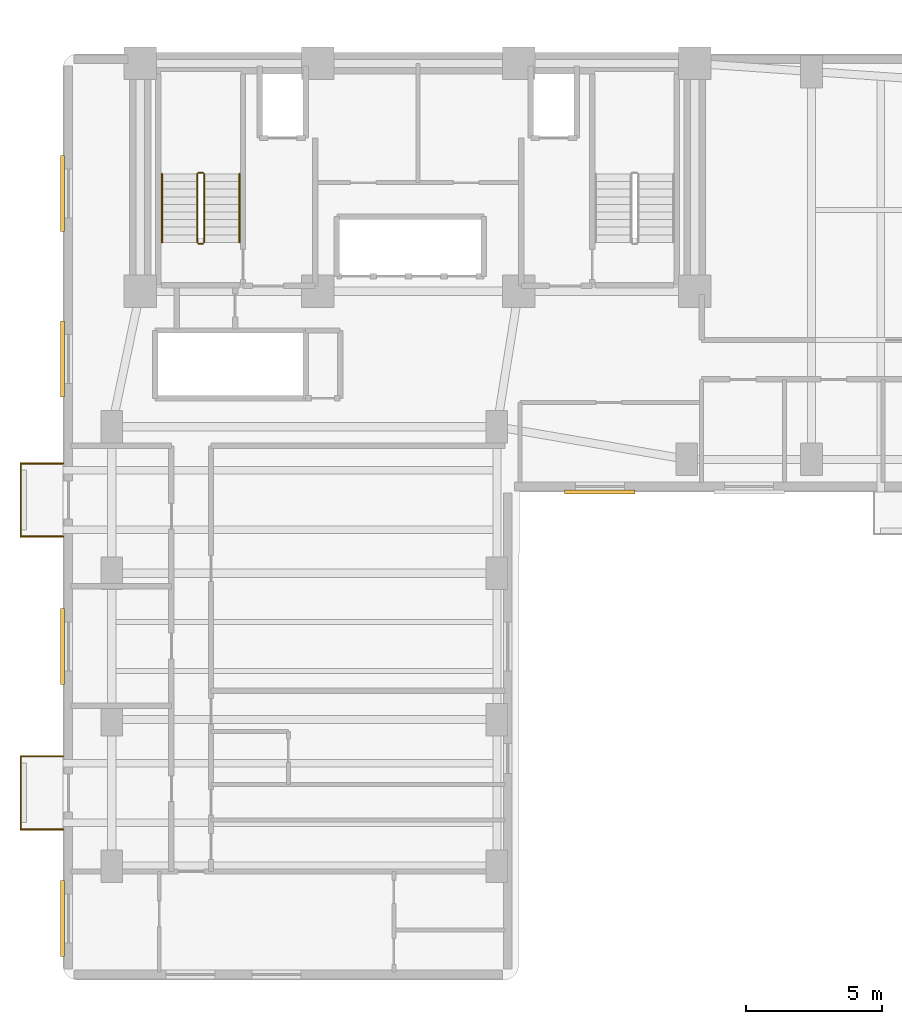
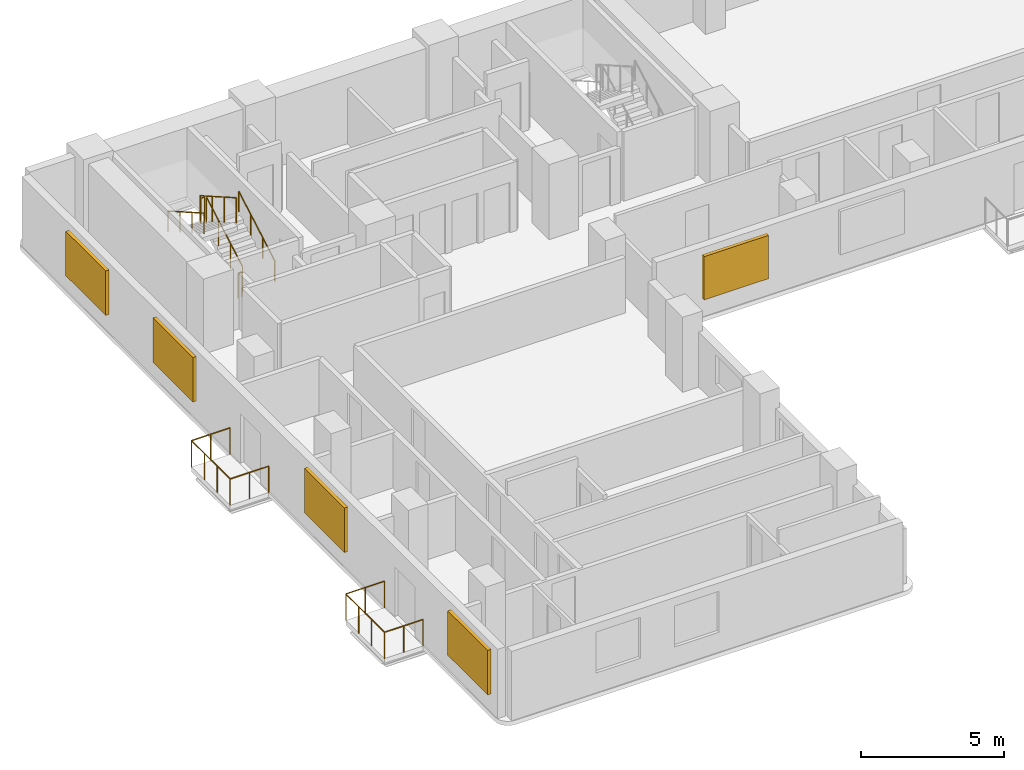
# One storey, part 9 of 11: 12 railings, 5 shading devices.
"""IFC4 building model written with IfcOpenShell, lengths in metres."""

from ifc_helpers import new_model, si_unit, direction, frame, origin, origin_2d, place, context, subcontext, project, spatial, rectangle, circle, extrude, material, layer, layer_set, type_object, element, save


model = new_model("IFC4")

# Units and contexts
model_context = context("Model", 3, precision=1e-05, world=origin(), true_north=direction((0.0, 1.0)))
body_context = subcontext(model_context, "Body", "Model", "MODEL_VIEW")
ifc_project = project(units=[si_unit("LENGTHUNIT", "METRE"), si_unit("AREAUNIT", "SQUARE_METRE"), si_unit("VOLUMEUNIT", "CUBIC_METRE"), si_unit("PLANEANGLEUNIT", "RADIAN"), si_unit("MASSUNIT", "GRAM", prefix="KILO")], contexts=[model_context])

# Site, building, storey
site_placement = place(None, origin())
site = spatial("IfcSite", under=ifc_project, at=site_placement, CompositionType="ELEMENT")
building_placement = place(site_placement, origin())
building = spatial("IfcBuilding", under=site, at=building_placement, Name="Kuzgunbayir Cultural Tower", CompositionType="ELEMENT")
storey_placement = place(building_placement, frame((0.0, 0.0, 99.39990234375)))
storey = spatial("IfcBuildingStorey", under=building, at=storey_placement, Name="L28", CompositionType="ELEMENT", Elevation=99.39990234375)

# Railings
ifc_material_1 = material(Name="Laminated Glass and Stainless Steel", Category="steel")
ifc_layer_1 = layer(ifc_material_1, 0.080078125)
ifc_layer_set_1 = layer_set([ifc_layer_1], Name="Laminated Glass and Stainless Steel")
railing_type_1 = type_object("IfcRailingType", Name="RLG-BAL-115", PredefinedType="BALUSTRADE", material=ifc_layer_set_1)
railing_1_placement = place(storey_placement, frame((3.60009765625, 13.949951171875, 0.0)))
element("IfcRailing", 1, at=railing_1_placement, inside=storey, type_object=railing_type_1, Name="L28 Balcony Guard BAL-L28-WA1 Segment 1", PredefinedType="BALUSTRADE", context=body_context, shape_type="SweptSolid", body=[
    extrude(circle(Radius=0.02392578125, at=origin_2d()), frame((0.0, 0.0, 1.1259765625), z_axis=(-1.0, 0.0, 0.0), x_axis=(0.0, -1.0, 0.0)), (0.0, 0.0, 1.0), 1.56005859375),
    extrude(circle(Radius=0.02099609375, at=origin_2d()), origin(), (0.0, 0.0, 1.0), 1.101806640625),
    extrude(circle(Radius=0.02099609375, at=origin_2d()), frame((-0.780029296875, 0.0, 0.0)), (0.0, 0.0, 1.0), 1.101806640625),
    extrude(circle(Radius=0.02099609375, at=origin_2d()), frame((-1.56005859375, 0.0, 0.0)), (0.0, 0.0, 1.0), 1.101806640625),
])
railing_2_placement = place(storey_placement, frame((2.0400390625, 13.949951171875, 0.0)))
element("IfcRailing", 2, at=railing_2_placement, inside=storey, type_object=railing_type_1, Name="L28 Balcony Guard BAL-L28-WA1 Segment 2", PredefinedType="BALUSTRADE", context=body_context, shape_type="SweptSolid", body=[
    extrude(circle(Radius=0.02392578125, at=origin_2d()), frame((0.0, 0.0, 1.1259765625), z_axis=(0.0, 1.0, 0.0), x_axis=(-1.0, 0.0, 0.0)), (0.0, 0.0, 1.0), 2.699951171875),
    extrude(circle(Radius=0.02099609375, at=origin_2d()), origin(), (0.0, 0.0, 1.0), 1.101806640625),
    extrude(circle(Radius=0.02099609375, at=origin_2d()), frame((0.0, 0.89990234375, 0.0)), (0.0, 0.0, 1.0), 1.101806640625),
    extrude(circle(Radius=0.02099609375, at=origin_2d()), frame((0.0, 1.800048828125, 0.0)), (0.0, 0.0, 1.0), 1.101806640625),
    extrude(circle(Radius=0.02099609375, at=origin_2d()), frame((0.0, 2.699951171875, 0.0)), (0.0, 0.0, 1.0), 1.101806640625),
])
railing_3_placement = place(storey_placement, frame((2.0400390625, 16.64990234375, 0.0)))
element("IfcRailing", 3, at=railing_3_placement, inside=storey, type_object=railing_type_1, Name="L28 Balcony Guard BAL-L28-WA1 Segment 3", PredefinedType="BALUSTRADE", context=body_context, shape_type="SweptSolid", body=[
    extrude(circle(Radius=0.02392578125, at=origin_2d()), frame((0.0, 0.0, 1.1259765625), z_axis=(1.0, 0.0, 0.0), x_axis=(0.0, 1.0, 0.0)), (0.0, 0.0, 1.0), 1.56005859375),
    extrude(circle(Radius=0.02099609375, at=origin_2d()), origin(), (0.0, 0.0, 1.0), 1.101806640625),
    extrude(circle(Radius=0.02099609375, at=origin_2d()), frame((0.780029296875, 0.0, 0.0)), (0.0, 0.0, 1.0), 1.101806640625),
    extrude(circle(Radius=0.02099609375, at=origin_2d()), frame((1.56005859375, 0.0, 0.0)), (0.0, 0.0, 1.0), 1.101806640625),
])
railing_4_placement = place(storey_placement, frame((3.60009765625, 24.75, 0.0)))
element("IfcRailing", 4, at=railing_4_placement, inside=storey, type_object=railing_type_1, Name="L28 Balcony Guard BAL-L28-WA3 Segment 1", PredefinedType="BALUSTRADE", context=body_context, shape_type="SweptSolid", body=[
    extrude(circle(Radius=0.02392578125, at=origin_2d()), frame((0.0, 0.0, 1.1259765625), z_axis=(-1.0, 0.0, 0.0), x_axis=(0.0, -1.0, 0.0)), (0.0, 0.0, 1.0), 1.56005859375),
    extrude(circle(Radius=0.02099609375, at=origin_2d()), origin(), (0.0, 0.0, 1.0), 1.101806640625),
    extrude(circle(Radius=0.02099609375, at=origin_2d()), frame((-0.780029296875, 0.0, 0.0)), (0.0, 0.0, 1.0), 1.101806640625),
    extrude(circle(Radius=0.02099609375, at=origin_2d()), frame((-1.56005859375, 0.0, 0.0)), (0.0, 0.0, 1.0), 1.101806640625),
])
railing_5_placement = place(storey_placement, frame((2.0400390625, 24.75, 0.0)))
element("IfcRailing", 5, at=railing_5_placement, inside=storey, type_object=railing_type_1, Name="L28 Balcony Guard BAL-L28-WA3 Segment 2", PredefinedType="BALUSTRADE", context=body_context, shape_type="SweptSolid", body=[
    extrude(circle(Radius=0.02392578125, at=origin_2d()), frame((0.0, 0.0, 1.1259765625), z_axis=(0.0, 1.0, 0.0), x_axis=(-1.0, 0.0, 0.0)), (0.0, 0.0, 1.0), 2.699951171875),
    extrude(circle(Radius=0.02099609375, at=origin_2d()), origin(), (0.0, 0.0, 1.0), 1.101806640625),
    extrude(circle(Radius=0.02099609375, at=origin_2d()), frame((0.0, 0.89990234375, 0.0)), (0.0, 0.0, 1.0), 1.101806640625),
    extrude(circle(Radius=0.02099609375, at=origin_2d()), frame((0.0, 1.800048828125, 0.0)), (0.0, 0.0, 1.0), 1.101806640625),
    extrude(circle(Radius=0.02099609375, at=origin_2d()), frame((0.0, 2.699951171875, 0.0)), (0.0, 0.0, 1.0), 1.101806640625),
])
railing_6_placement = place(storey_placement, frame((2.0400390625, 27.449951171875, 0.0)))
element("IfcRailing", 6, at=railing_6_placement, inside=storey, type_object=railing_type_1, Name="L28 Balcony Guard BAL-L28-WA3 Segment 3", PredefinedType="BALUSTRADE", context=body_context, shape_type="SweptSolid", body=[
    extrude(circle(Radius=0.02392578125, at=origin_2d()), frame((0.0, 0.0, 1.1259765625), z_axis=(1.0, 0.0, 0.0), x_axis=(0.0, 1.0, 0.0)), (0.0, 0.0, 1.0), 1.56005859375),
    extrude(circle(Radius=0.02099609375, at=origin_2d()), origin(), (0.0, 0.0, 1.0), 1.101806640625),
    extrude(circle(Radius=0.02099609375, at=origin_2d()), frame((0.780029296875, 0.0, 0.0)), (0.0, 0.0, 1.0), 1.101806640625),
    extrude(circle(Radius=0.02099609375, at=origin_2d()), frame((1.56005859375, 0.0, 0.0)), (0.0, 0.0, 1.0), 1.101806640625),
])
ifc_material_2 = material(Name="Brushed Stainless Steel", Category="steel")
ifc_layer_2 = layer(ifc_material_2, 0.050048828125)
ifc_layer_set_2 = layer_set([ifc_layer_2], Name="Brushed Stainless Steel")
railing_type_2 = type_object("IfcRailingType", Name="RLG-STAIR-HANDRAIL", PredefinedType="HANDRAIL", material=ifc_layer_set_2)
railing_7_placement = place(storey_placement, frame((10.110107421875, 35.60009765625, 0.16015625)))
element("IfcRailing", 7, at=railing_7_placement, inside=storey, type_object=railing_type_2, Name="L28 ST-1 stair handrail 1", PredefinedType="HANDRAIL", context=body_context, shape_type="SweptSolid", body=[
    extrude(circle(Radius=0.02392578125, at=origin_2d()), frame((0.0, 0.0, 0.8759765625), z_axis=(0.0, 0.868253494771, 0.496120820787), x_axis=(-1.0, 0.0, 0.0)), (0.0, 0.0, 1.0), 2.90234375),
    extrude(circle(Radius=0.02099609375, at=origin_2d()), origin(), (0.0, 0.0, 1.0), 0.851806640625),
    extrude(circle(Radius=0.02099609375, at=origin_2d()), frame((0.0, 0.840087890625, 0.47998046875)), (0.0, 0.0, 1.0), 0.851806640625),
    extrude(circle(Radius=0.02099609375, at=origin_2d()), frame((0.0, 1.679931640625, 0.9599609375)), (0.0, 0.0, 1.0), 0.851806640625),
    extrude(circle(Radius=0.02099609375, at=origin_2d()), frame((0.0, 2.52001953125, 1.43994140625)), (0.0, 0.0, 1.0), 0.851806640625),
])
railing_8_placement = place(storey_placement, frame((7.25, 38.1201171875, 1.760009765625)))
element("IfcRailing", 8, at=railing_8_placement, inside=storey, type_object=railing_type_2, Name="L28 ST-1 stair handrail 2", PredefinedType="HANDRAIL", context=body_context, shape_type="SweptSolid", body=[
    extrude(circle(Radius=0.02392578125, at=origin_2d()), frame((0.0, 0.0, 0.8759765625), z_axis=(0.0, -0.868217259934, 0.496184229447), x_axis=(1.0, 0.0, 0.0)), (0.0, 0.0, 1.0), 2.902587890625),
    extrude(circle(Radius=0.02099609375, at=origin_2d()), origin(), (0.0, 0.0, 1.0), 0.851806640625),
    extrude(circle(Radius=0.02099609375, at=origin_2d()), frame((0.0, -0.840087890625, 0.47998046875)), (0.0, 0.0, 1.0), 0.851806640625),
    extrude(circle(Radius=0.02099609375, at=origin_2d()), frame((0.0, -1.679931640625, 0.960205078125)), (0.0, 0.0, 1.0), 0.851806640625),
    extrude(circle(Radius=0.02099609375, at=origin_2d()), frame((0.0, -2.52001953125, 1.440185546875)), (0.0, 0.0, 1.0), 0.851806640625),
])
ifc_material_3 = material(Name="Painted Steel Balustrade", Category="steel")
ifc_layer_3 = layer(ifc_material_3, 0.06005859375)
ifc_layer_set_3 = layer_set([ifc_layer_3], Name="Painted Steel Balustrade")
railing_type_3 = type_object("IfcRailingType", Name="RLG-WELL-GUARD", PredefinedType="GUARDRAIL", material=ifc_layer_set_3)
railing_9_placement = place(storey_placement, frame((8.81005859375, 35.60009765625, 0.16015625)))
element("IfcRailing", 9, at=railing_9_placement, inside=storey, type_object=railing_type_3, Name="L28 ST-1 stair guard 1", PredefinedType="GUARDRAIL", context=body_context, shape_type="SweptSolid", body=[
    extrude(circle(Radius=0.02392578125, at=origin_2d()), frame((0.0, 0.0, 1.076171875), z_axis=(0.0, 0.868253494771, 0.496120820787), x_axis=(-1.0, 0.0, 0.0)), (0.0, 0.0, 1.0), 2.90234375),
    extrude(circle(Radius=0.02099609375, at=origin_2d()), origin(), (0.0, 0.0, 1.0), 1.052001953125),
    extrude(circle(Radius=0.02099609375, at=origin_2d()), frame((0.0, 0.840087890625, 0.47998046875)), (0.0, 0.0, 1.0), 1.052001953125),
    extrude(circle(Radius=0.02099609375, at=origin_2d()), frame((0.0, 1.679931640625, 0.9599609375)), (0.0, 0.0, 1.0), 1.052001953125),
    extrude(circle(Radius=0.02099609375, at=origin_2d()), frame((0.0, 2.52001953125, 1.43994140625)), (0.0, 0.0, 1.0), 1.052001953125),
])
railing_10_placement = place(storey_placement, frame((8.760009765625, 38.169921875, 1.60009765625)))
element("IfcRailing", 10, at=railing_10_placement, inside=storey, type_object=railing_type_3, Name="L28 ST-1 stair guard 2", PredefinedType="GUARDRAIL", context=body_context, shape_type="SweptSolid", body=[
    extrude(circle(Radius=0.02392578125, at=origin_2d()), frame((0.0, 0.0, 1.076171875), z_axis=(-1.0, 0.0, 0.0), x_axis=(0.0, -1.0, 0.0)), (0.0, 0.0, 1.0), 0.159912109375),
    extrude(circle(Radius=0.02099609375, at=origin_2d()), origin(), (0.0, 0.0, 1.0), 1.052001953125),
    extrude(circle(Radius=0.02099609375, at=origin_2d()), frame((-0.159912109375, 0.0, 0.0)), (0.0, 0.0, 1.0), 1.052001953125),
])
railing_11_placement = place(storey_placement, frame((8.550048828125, 38.1201171875, 1.760009765625)))
element("IfcRailing", 11, at=railing_11_placement, inside=storey, type_object=railing_type_3, Name="L28 ST-1 stair guard 3", PredefinedType="GUARDRAIL", context=body_context, shape_type="SweptSolid", body=[
    extrude(circle(Radius=0.02392578125, at=origin_2d()), frame((0.0, 0.0, 1.076171875), z_axis=(0.0, -0.868217259934, 0.496184229447), x_axis=(1.0, 0.0, 0.0)), (0.0, 0.0, 1.0), 2.902587890625),
    extrude(circle(Radius=0.02099609375, at=origin_2d()), origin(), (0.0, 0.0, 1.0), 1.052001953125),
    extrude(circle(Radius=0.02099609375, at=origin_2d()), frame((0.0, -0.840087890625, 0.47998046875)), (0.0, 0.0, 1.0), 1.052001953125),
    extrude(circle(Radius=0.02099609375, at=origin_2d()), frame((0.0, -1.679931640625, 0.960205078125)), (0.0, 0.0, 1.0), 1.052001953125),
    extrude(circle(Radius=0.02099609375, at=origin_2d()), frame((0.0, -2.52001953125, 1.440185546875)), (0.0, 0.0, 1.0), 1.052001953125),
])
railing_12_placement = place(storey_placement, frame((8.760009765625, 35.550048828125, 0.0)))
element("IfcRailing", 12, at=railing_12_placement, inside=storey, type_object=railing_type_3, Name="L28 ST-1 stair guard 4", PredefinedType="GUARDRAIL", context=body_context, shape_type="SweptSolid", body=[
    extrude(circle(Radius=0.02392578125, at=origin_2d()), frame((0.0, 0.0, 1.076171875), z_axis=(-1.0, 0.0, 0.0), x_axis=(0.0, -1.0, 0.0)), (0.0, 0.0, 1.0), 0.159912109375),
    extrude(circle(Radius=0.02099609375, at=origin_2d()), origin(), (0.0, 0.0, 1.0), 1.052001953125),
    extrude(circle(Radius=0.02099609375, at=origin_2d()), frame((-0.159912109375, 0.0, 0.0)), (0.0, 0.0, 1.0), 1.052001953125),
])

# Shading devices
ifc_material_4 = material(Name="Perforated Bronze-Anodised Aluminium", Category="aluminium")
shading_device_type = type_object("IfcShadingDeviceType", Name="SHD-SOLAR-BRONZE", PredefinedType="JALOUSIE", material=ifc_material_4)
for number, where, z_axis, x_axis, name in (
    (13, (3.580078125, 10.669921875, 0.770263671875), (0.0, 0.0, 1.0), (1.0, 0.0, 0.0), "L28 Perforated Bronze Solar Screen WAW1"),
    (14, (3.580078125, 20.699951171875, 0.770263671875), (0.0, 0.0, 1.0), (1.0, 0.0, 0.0), "L28 Perforated Bronze Solar Screen WAW6"),
    (15, (3.580078125, 31.300048828125, 0.770263671875), (0.0, 0.0, 1.0), (1.0, 0.0, 0.0), "L28 Perforated Bronze Solar Screen WAW7"),
    (16, (3.580078125, 37.39990234375, 0.770263671875), (0.0, 0.0, 1.0), (1.0, 0.0, 0.0), "L28 Perforated Bronze Solar Screen WAW8"),
):
    element("IfcShadingDevice", number, at=place(storey_placement, frame(where, z_axis=z_axis, x_axis=x_axis)), inside=storey, type_object=shading_device_type, Name=name, PredefinedType="JALOUSIE", context=body_context, shape_type="SweptSolid", body=[
        extrude(rectangle(XDim=0.139892578125, YDim=2.800048828125, at=origin_2d()), origin(), (0.0, 0.0, 1.0), 1.89990234375),
    ])
shading_device_placement = place(storey_placement, frame((23.39990234375, 26.389892578125, 0.795166015625), z_axis=(0.0, 0.0, 1.0), x_axis=(1.0, 0.0, 0.0)))
element("IfcShadingDevice", 17, at=shading_device_placement, inside=storey, type_object=shading_device_type, Name="L28 Solar Screen WBS11", PredefinedType="JALOUSIE", context=body_context, shape_type="SweptSolid", body=[
    extrude(rectangle(XDim=2.60009765625, YDim=0.139892578125, at=origin_2d()), origin(), (0.0, 0.0, 1.0), 1.85009765625),
])

save(model, "model.ifc")
